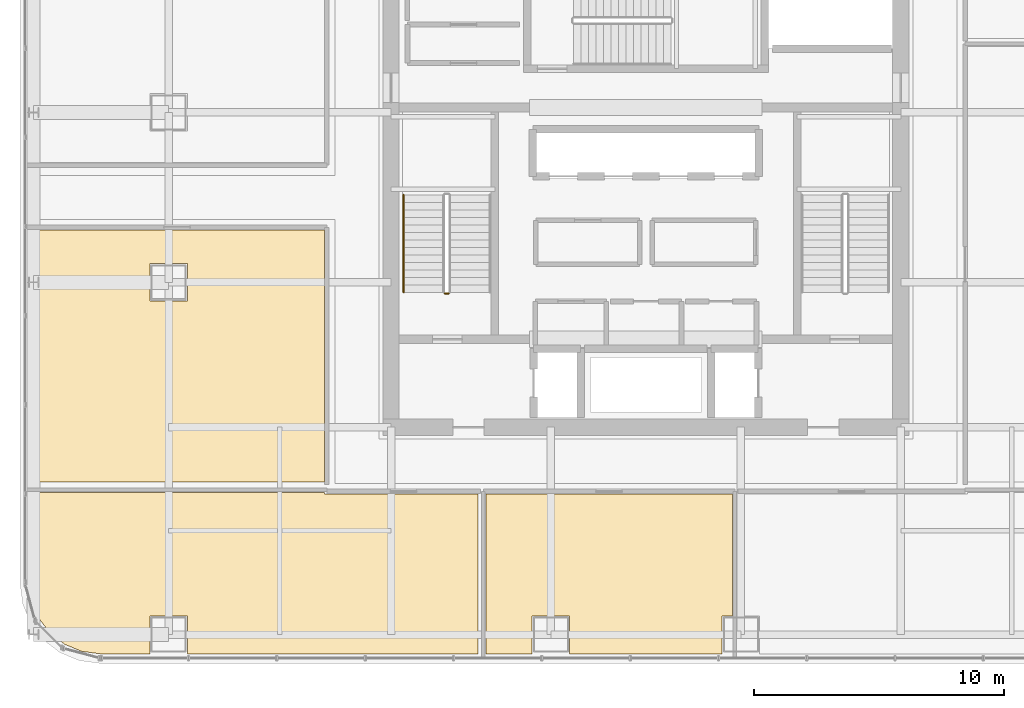
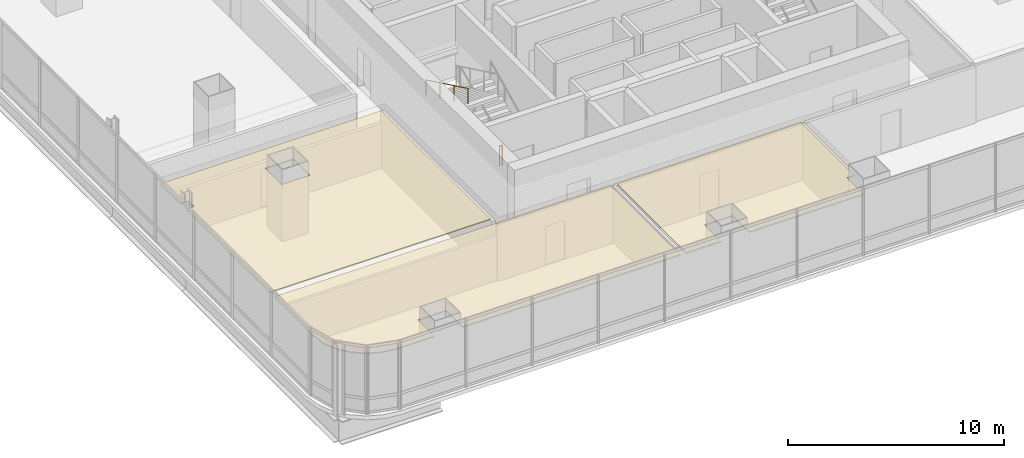
# One storey, part 33 of 37: 3 coverings, 2 railings.
"""IFC4 building model written with IfcOpenShell, lengths in metres."""

from ifc_helpers import new_model, si_unit, direction, frame, origin, origin_2d, place, context, subcontext, project, spatial, polyline, circle, outline, extrude, material, layer, layer_set, type_object, element, save


model = new_model("IFC4")

# Units and contexts
model_context = context("Model", 3, precision=1e-05, world=origin(), true_north=direction((0.0, 1.0)))
body_context = subcontext(model_context, "Body", "Model", "MODEL_VIEW")
ifc_project = project(units=[si_unit("LENGTHUNIT", "METRE"), si_unit("AREAUNIT", "SQUARE_METRE"), si_unit("VOLUMEUNIT", "CUBIC_METRE"), si_unit("PLANEANGLEUNIT", "RADIAN"), si_unit("MASSUNIT", "GRAM", prefix="KILO")], contexts=[model_context])

# Site, building, storey
site_placement = place(None, origin())
site = spatial("IfcSite", under=ifc_project, at=site_placement, CompositionType="ELEMENT")
building_placement = place(site_placement, origin())
building = spatial("IfcBuilding", under=site, at=building_placement, Name="Punatoya Terracotta Tower", CompositionType="ELEMENT")
storey_placement = place(building_placement, frame((0.0, 0.0, 164.10009765625)))
storey = spatial("IfcBuildingStorey", under=building, at=storey_placement, Name="L38", CompositionType="ELEMENT", Elevation=164.10009765625)

# Coverings
ifc_material_1 = material(Name="Acoustic Mineral Fibre Ceiling")
ifc_layer = layer(ifc_material_1, 0.06005859375)
ifc_layer_set = layer_set([ifc_layer], Name="Acoustic Mineral Fibre Ceiling")
covering_type = type_object("IfcCoveringType", Name="COV-CEIL-60", PredefinedType="CEILING", material=ifc_layer_set)
covering_1_placement = place(storey_placement, frame((0.0, 0.0, 3.219970703125)))
element("IfcCovering", 1, at=covering_1_placement, inside=storey, type_object=covering_type, Name="L38 Open-Plan Computational Simulation Laboratory Acoustic Ceiling", PredefinedType="CEILING", context=body_context, shape_type="SweptSolid", body=[
    extrude(outline(polyline([(-4.550048828125, -18.27001953125), (-4.550048828125, -16.75), (-3.050048828125, -16.75), (-3.050048828125, -18.27001953125), (3.050048828125, -18.27001953125), (3.050048828125, -16.75), (3.458984375, -16.75), (3.458984375, -11.8701171875), (-6.406982421875, -11.8701171875), (-6.406982421875, -18.27001953125), (-4.550048828125, -18.27001953125)])), origin(), (0.0, 0.0, 1.0), 0.059814453125),
])
covering_2_placement = place(storey_placement, frame((0.0, 0.0, 3.219970703125)))
element("IfcCovering", 2, at=covering_2_placement, inside=storey, type_object=covering_type, Name="L38 Open-Plan Cartography Reference Library Acoustic Ceiling", PredefinedType="CEILING", context=body_context, shape_type="SweptSolid", body=[
    extrude(outline(polyline([(-21.8251953125, -18.27001953125), (-19.85009765625, -18.27001953125), (-19.85009765625, -16.75), (-18.35009765625, -16.75), (-18.35009765625, -18.27001953125), (-6.72705078125, -18.27001953125), (-6.72705078125, -11.8701171875), (-12.8701171875, -11.8701171875), (-12.8701171875, -11.81005859375), (-24.669921875, -11.81005859375), (-24.669921875, -15.425048828125), (-24.57080078125, -16.178955078125), (-24.289306640625, -16.8583984375), (-23.841796875, -17.441650390625), (-23.25830078125, -17.889404296875), (-22.5791015625, -18.1708984375), (-21.8251953125, -18.27001953125)])), origin(), (0.0, 0.0, 1.0), 0.059814453125),
])
covering_3_placement = place(storey_placement, frame((0.0, 0.0, 3.219970703125)))
element("IfcCovering", 3, at=covering_3_placement, inside=storey, type_object=covering_type, Name="L38 Open-Plan Environmental Research Laboratory Acoustic Ceiling", PredefinedType="CEILING", context=body_context, shape_type="SweptSolid", body=[
    extrude(outline(polyline([(-24.669921875, -3.66259765625), (-24.669921875, -11.389892578125), (-12.8701171875, -11.389892578125), (-12.8701171875, -1.300048828125), (-24.669921875, -1.300048828125), (-24.669921875, -3.137451171875), (-24.24560546875, -3.137451171875), (-24.24560546875, -3.66259765625), (-24.669921875, -3.66259765625)]), holes=[polyline([(-18.35009765625, -4.14990234375), (-19.85009765625, -4.14990234375), (-19.85009765625, -2.64990234375), (-18.35009765625, -2.64990234375), (-18.35009765625, -4.14990234375)])]), origin(), (0.0, 0.0, 1.0), 0.059814453125),
])

# Railings
ifc_material_2 = material(Name="Steel S355", Category="steel")
railing_type_1 = type_object("IfcRailingType", Name="RLG-GRD-1150", PredefinedType="GUARDRAIL", material=ifc_material_2)
railing_1_placement = place(storey_placement, frame((-7.89990234375, -3.85009765625, 0.0)))
element("IfcRailing", 4, at=railing_1_placement, inside=storey, type_object=railing_type_1, Name="L38 ST-1 stair guard 4", PredefinedType="GUARDRAIL", context=body_context, shape_type="SweptSolid", body=[
    extrude(circle(Radius=0.02392578125, at=origin_2d()), frame((0.0, 0.0, 1.1259765625), z_axis=(-1.0, 0.0, 0.0), x_axis=(0.0, -1.0, 0.0)), (0.0, 0.0, 1.0), 0.150146484375),
    extrude(circle(Radius=0.02099609375, at=origin_2d()), origin(), (0.0, 0.0, 1.0), 1.101806640625),
    extrude(circle(Radius=0.02099609375, at=origin_2d()), frame((-0.150146484375, 0.0, 0.0)), (0.0, 0.0, 1.0), 1.101806640625),
])
railing_type_2 = type_object("IfcRailingType", Name="RLG-HND-900", PredefinedType="HANDRAIL", material=ifc_material_2)
railing_2_placement = place(storey_placement, frame((-9.699951171875, 0.10009765625, 2.16943359375)))
element("IfcRailing", 5, at=railing_2_placement, inside=storey, type_object=railing_type_2, Name="L38 ST-1 stair handrail 2", PredefinedType="HANDRAIL", context=body_context, shape_type="SweptSolid", body=[
    extrude(circle(Radius=0.02392578125, at=origin_2d()), frame((0.0, 0.0, 0.8759765625), z_axis=(0.0, -0.900773802044, 0.434288564841), x_axis=(1.0, 0.0, 0.0)), (0.0, 0.0, 1.0), 4.329833984375),
    extrude(circle(Radius=0.02099609375, at=origin_2d()), origin(), (0.0, 0.0, 1.0), 0.851806640625),
    extrude(circle(Radius=0.02099609375, at=origin_2d()), frame((0.0, -1.300048828125, 0.626708984375)), (0.0, 0.0, 1.0), 0.851806640625),
    extrude(circle(Radius=0.02099609375, at=origin_2d()), frame((0.0, -2.60009765625, 1.253662109375)), (0.0, 0.0, 1.0), 0.851806640625),
    extrude(circle(Radius=0.02099609375, at=origin_2d()), frame((0.0, -3.900146484375, 1.88037109375)), (0.0, 0.0, 1.0), 0.851806640625),
])

save(model, "model.ifc")
